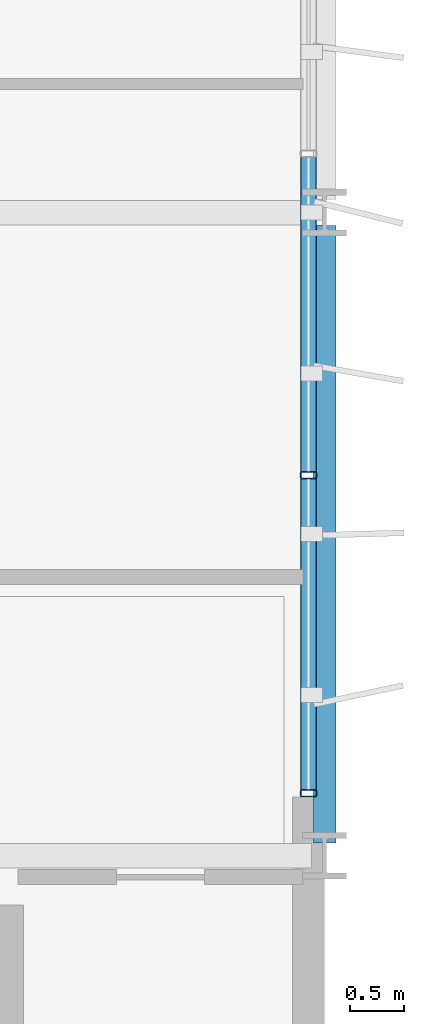
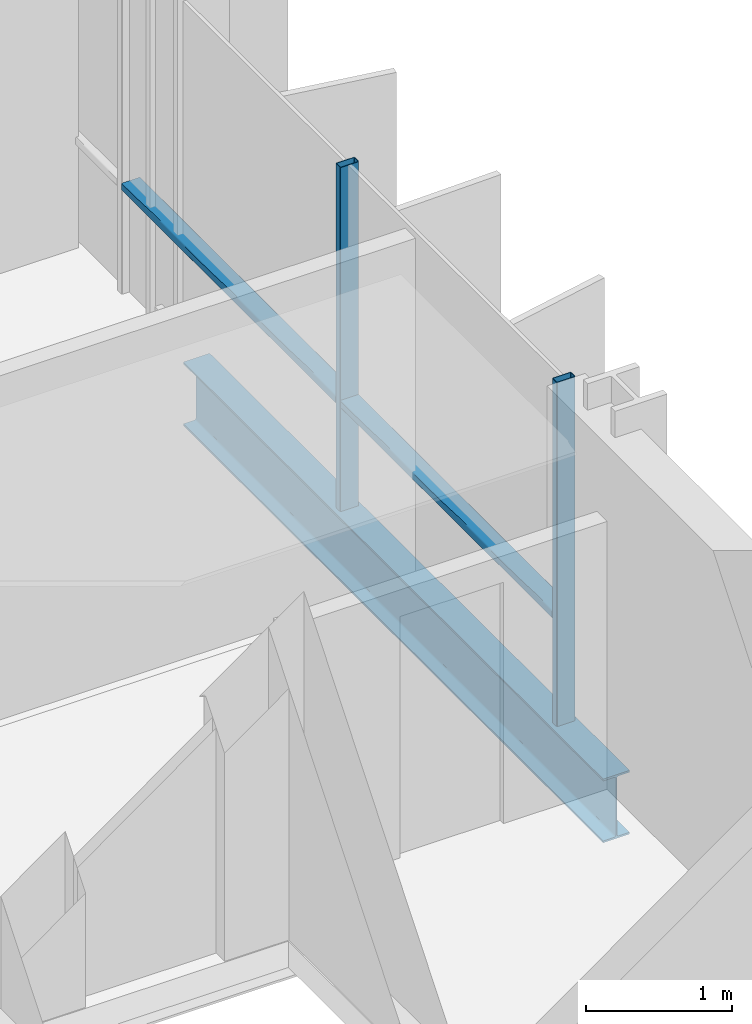
# One storey, part 15 of 39: 4 members, 1 beam, 1 element without a shape of its own.
"""IFC4 building model written with IfcOpenShell, lengths in metres."""

from ifc_helpers import new_model, si_unit, direction, frame, origin, origin_2d, place, context, subcontext, project, spatial, hollow_rectangle, i_section, extrude, material, layer, layer_set, material_profile, profile_set, type_object, element, aggregate, save


model = new_model("IFC4")

# Units and contexts
model_context = context("Model", 3, precision=1e-05, world=origin(), true_north=direction((0.0, 1.0)))
body_context = subcontext(model_context, "Body", "Model", "MODEL_VIEW")
ifc_project = project(units=[si_unit("LENGTHUNIT", "METRE"), si_unit("AREAUNIT", "SQUARE_METRE"), si_unit("VOLUMEUNIT", "CUBIC_METRE"), si_unit("PLANEANGLEUNIT", "RADIAN"), si_unit("MASSUNIT", "GRAM", prefix="KILO")], contexts=[model_context])

# Site, building, storey
site_placement = place(None, origin())
site = spatial("IfcSite", under=ifc_project, at=site_placement, CompositionType="ELEMENT")
building_placement = place(site_placement, origin())
building = spatial("IfcBuilding", under=site, at=building_placement, Name="Brevholm Reach", CompositionType="ELEMENT")
storey_placement = place(building_placement, frame((0.0, 0.0, 109.699951171875)))
storey = spatial("IfcBuildingStorey", under=building, at=storey_placement, Name="L32", CompositionType="ELEMENT", Elevation=109.699951171875)

# Beam
ifc_material_1 = material(Name="Structural Steel S355J2", Category="steel")
ifc_material_profile_1 = material_profile(ifc_material_1, i_section(OverallWidth=0.209228515625, OverallDepth=0.533203125, WebThickness=0.010009765625, FlangeThickness=0.015625, FilletRadius=0.0126953125, at=origin_2d()), Name="UKB 533x210x92")
ifc_profile_set_1 = profile_set([ifc_material_profile_1], Name="Structural Steel S355J2")
beam_type = type_object("IfcBeamType", Name="BM-SP533", PredefinedType="SPANDREL", material=ifc_profile_set_1)
beam_placement = place(storey_placement, frame((60.0, 10.1201171875, -0.486572265625), z_axis=(0.0, 1.0, 0.0), x_axis=(-1.0, 0.0, 0.0)))
element("IfcBeam", 1, at=beam_placement, inside=storey, type_object=beam_type, Name="L32 SP-02 Framing Beam", PredefinedType="SPANDREL", context=body_context, shape_type="SweptSolid", body=[
    extrude(i_section(OverallWidth=0.209228515625, OverallDepth=0.533203125, WebThickness=0.010009765625, FlangeThickness=0.015625, FilletRadius=0.0126953125, at=origin_2d()), origin(), (0.0, 0.0, 1.0), 5.759765625),
])

# Curtain wall, members
ifc_material_2 = material(Name="Dark Anodised Aluminium 6063-T6 and Solar-Control Glass", Category="aluminium")
ifc_layer = layer(ifc_material_2, 0.14990234375)
ifc_layer_set = layer_set([ifc_layer], Name="Dark Anodised Aluminium 6063-T6 and Solar-Control Glass")
curtain_wall_type = type_object("IfcCurtainWallType", Name="CW-01", PredefinedType="NOTDEFINED", material=ifc_layer_set)
curtain_wall_placement = place(storey_placement, origin())
curtain_wall = element("IfcCurtainWall", 2, at=curtain_wall_placement, inside=storey, type_object=curtain_wall_type, Name="L32 Curtain Wall CW-01", PredefinedType="NOTDEFINED")
ifc_material_3 = material(Name="Dark Anodised Aluminium 6063-T6", Category="aluminium")
ifc_material_profile_2 = material_profile(ifc_material_3, hollow_rectangle(XDim=0.06494140625, YDim=0.14990234375, WallThickness=0.0048828125, InnerFilletRadius=0.0048828125, OuterFilletRadius=0.010009765625, at=origin_2d()), Name="RHS 150x65x5")
ifc_profile_set_2 = profile_set([ifc_material_profile_2], Name="Dark Anodised Aluminium 6063-T6")
member_type_1 = type_object("IfcMemberType", Name="CWM-150", PredefinedType="MULLION", material=ifc_profile_set_2)
member_1_placement = place(storey_placement, frame((59.85009765625, 10.58251953125, 0.0), z_axis=(0.0, 0.0, 1.0), x_axis=(0.0, 1.0, 0.0)))
member_1 = element("IfcMember", 3, at=member_1_placement, type_object=member_type_1, Name="CM-150 Mullion 1", PredefinedType="MULLION", context=body_context, shape_type="SweptSolid", body=[
    extrude(hollow_rectangle(XDim=0.06494140625, YDim=0.14990234375, WallThickness=0.0048828125, InnerFilletRadius=0.0048828125, OuterFilletRadius=0.010009765625, at=origin_2d()), origin(), (0.0, 0.0, 1.0), 2.880126953125),
])
member_2_placement = place(storey_placement, frame((59.85009765625, 13.550048828125, 0.0), z_axis=(0.0, 0.0, 1.0), x_axis=(0.0, 1.0, 0.0)))
member_2 = element("IfcMember", 4, at=member_2_placement, type_object=member_type_1, Name="CM-150 Mullion 2", PredefinedType="MULLION", context=body_context, shape_type="SweptSolid", body=[
    extrude(hollow_rectangle(XDim=0.06494140625, YDim=0.14990234375, WallThickness=0.0048828125, InnerFilletRadius=0.0048828125, OuterFilletRadius=0.010009765625, at=origin_2d()), origin(), (0.0, 0.0, 1.0), 2.880126953125),
])
ifc_material_4 = material(Name="Dark Anodised Aluminium 6063-T6", Category="aluminium")
ifc_material_profile_3 = material_profile(ifc_material_4, hollow_rectangle(XDim=0.06494140625, YDim=0.14990234375, WallThickness=0.0048828125, InnerFilletRadius=0.0048828125, OuterFilletRadius=0.010009765625, at=origin_2d()), Name="RHS 150x65x5")
ifc_profile_set_3 = profile_set([ifc_material_profile_3], Name="Dark Anodised Aluminium 6063-T6")
member_type_2 = type_object("IfcMemberType", Name="CWT-150", PredefinedType="NOTDEFINED", material=ifc_profile_set_3)
member_3_placement = place(storey_placement, frame((59.85009765625, 10.614990234375, 0.900146484375), z_axis=(0.0, 1.0, 0.0), x_axis=(0.0, 0.0, 1.0)))
member_3 = element("IfcMember", 5, at=member_3_placement, type_object=member_type_2, Name="CT-150 Transom 1.1", ObjectType="TRANSOM", PredefinedType="USERDEFINED", context=body_context, shape_type="SweptSolid", body=[
    extrude(hollow_rectangle(XDim=0.06494140625, YDim=0.14990234375, WallThickness=0.0048828125, InnerFilletRadius=0.0048828125, OuterFilletRadius=0.010009765625, at=origin_2d()), origin(), (0.0, 0.0, 1.0), 2.902587890625),
])
member_4_placement = place(storey_placement, frame((59.85009765625, 13.58251953125, 0.900146484375), z_axis=(0.0, 1.0, 0.0), x_axis=(0.0, 0.0, 1.0)))
member_4 = element("IfcMember", 6, at=member_4_placement, type_object=member_type_2, Name="CT-150 Transom 2.1", ObjectType="TRANSOM", PredefinedType="USERDEFINED", context=body_context, shape_type="SweptSolid", body=[
    extrude(hollow_rectangle(XDim=0.06494140625, YDim=0.14990234375, WallThickness=0.0048828125, InnerFilletRadius=0.0048828125, OuterFilletRadius=0.010009765625, at=origin_2d()), origin(), (0.0, 0.0, 1.0), 2.93505859375),
])
aggregate(curtain_wall, [member_1, member_2, member_3, member_4])

save(model, "model.ifc")
